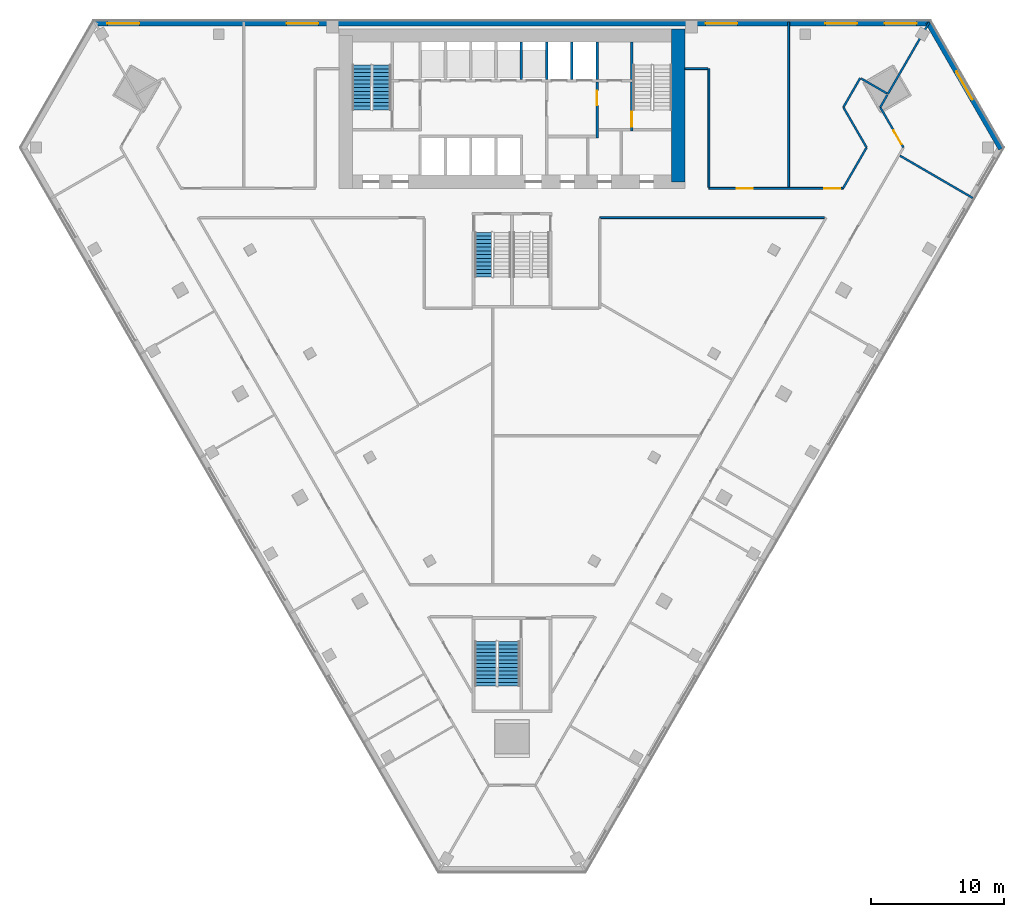
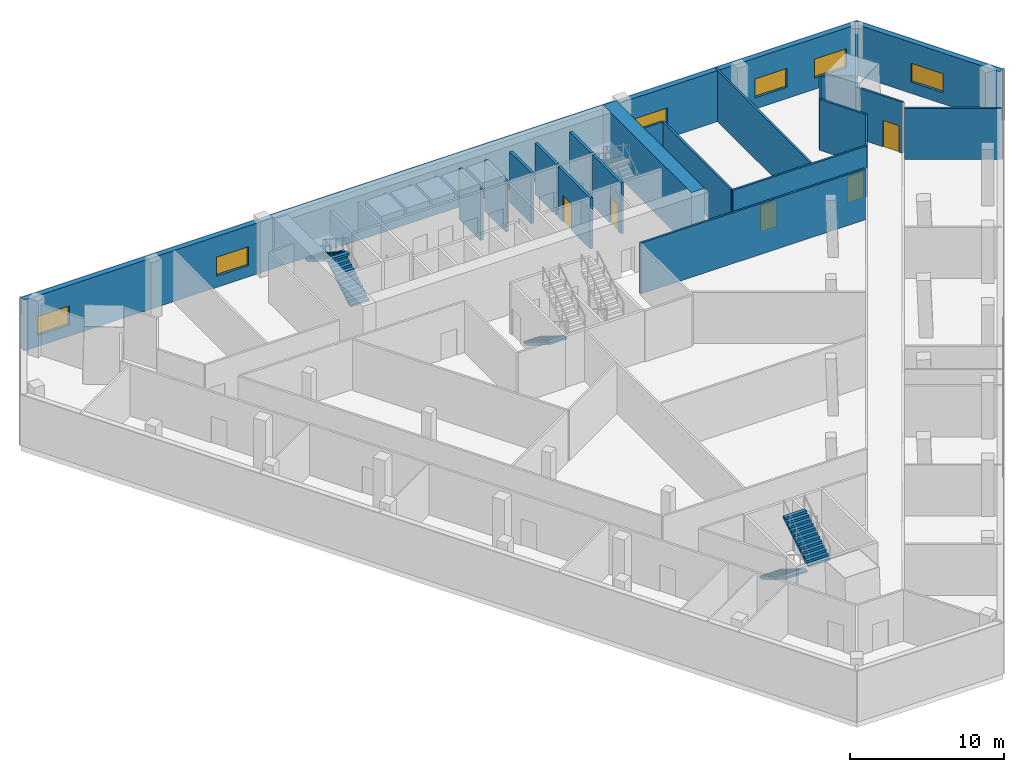
# One storey, part 6 of 9: 23 walls, 6 windows, 5 doors, 5 stair flights, 11 openings, 3 elements without a shape of their own.
"""IFC4 building model written with IfcOpenShell, lengths in metres."""

from ifc_helpers import new_model, si_unit, direction, frame, frame_2d, origin, place, context, subcontext, project, spatial, polyline, rectangle, outline, extrude, material, layer, layer_set, type_object, element, fill, aggregate, save


model = new_model("IFC4")

# Units and contexts
model_context = context("Model", 3, precision=1e-05, world=origin(), true_north=direction((0.0, 1.0)))
body_context = subcontext(model_context, "Body", "Model", "MODEL_VIEW")
ifc_project = project(units=[si_unit("LENGTHUNIT", "METRE"), si_unit("AREAUNIT", "SQUARE_METRE"), si_unit("VOLUMEUNIT", "CUBIC_METRE"), si_unit("PLANEANGLEUNIT", "RADIAN"), si_unit("MASSUNIT", "GRAM", prefix="KILO")], contexts=[model_context])

# Site, building, storey
site_placement = place(None, origin())
site = spatial("IfcSite", under=ifc_project, at=site_placement, CompositionType="ELEMENT")
building_placement = place(site_placement, origin())
building = spatial("IfcBuilding", under=site, at=building_placement, Name="Altiplano Prism Tower", CompositionType="ELEMENT")
storey_placement = place(building_placement, frame((0.0, 0.0, 9.0)))
storey = spatial("IfcBuildingStorey", under=building, at=storey_placement, Name="L01", CompositionType="ELEMENT", Elevation=9.0)

# Wall
ifc_material_1 = material(Name="Concrete C70/85", Category="concrete")
ifc_layer_1 = layer(ifc_material_1, 1.0)
ifc_layer_set_1 = layer_set([ifc_layer_1], Name="Concrete C70/85")
wall_type_1 = type_object("IfcWallType", Name="Core wall 1000", PredefinedType="SHEAR", material=ifc_layer_set_1)
wall_1_placement = place(storey_placement, frame((97.5, 92.89990234375, 0.0), z_axis=(0.0, 0.0, 1.0), x_axis=(0.0, 1.0, 0.0)))
element("IfcWall", 1, at=wall_1_placement, inside=storey, type_object=wall_type_1, Name="Core wall E L01", PredefinedType="SHEAR", context=body_context, shape_type="SweptSolid", body=[
    extrude(rectangle(XDim=11.5, YDim=1.0, at=frame_2d((5.75, 0.0))), origin(), (0.0, 0.0, 1.0), 4.5),
])

# Wall, opening, door
ifc_material_2 = material(Name="Plasterboard on steel stud", Category="steel")
ifc_layer_2 = layer(ifc_material_2, 0.14990234375)
ifc_layer_set_2 = layer_set([ifc_layer_2], Name="Plasterboard on steel stud")
wall_type_2 = type_object("IfcWallType", Name="Partition 150 corridor", PredefinedType="PARTITIONING", material=ifc_layer_set_2)
wall_2_placement = place(storey_placement, frame((114.4296875, 95.4736328125, 0.0), z_axis=(0.0, 0.0, 1.0), x_axis=(-0.500008701212, 0.866020380079, 0.0)))
wall_2 = element("IfcWall", 2, at=wall_2_placement, inside=storey, type_object=wall_type_2, Name="Partition P06 L01 006", PredefinedType="PARTITIONING", context=body_context, shape_type="SweptSolid", body=[
    extrude(rectangle(XDim=3.49462890625, YDim=0.14990234375, at=frame_2d((1.747314453125, 0.0))), origin(), (0.0, 0.0, 1.0), 4.050048828125),
])
opening_1_placement = place(wall_2_placement, frame((0.2880859375, 0.0, 0.0)))
opening_1 = element("IfcOpeningElement", 3, at=opening_1_placement, cuts=wall_2, Name="Opening D0038", PredefinedType="OPENING", context=body_context, shape_type="SweptSolid", body=[
    extrude(rectangle(XDim=1.199951171875, YDim=2.10009765625, at=frame_2d((0.60009765625, 1.050048828125))), frame((0.0, 0.08544921875, 0.0), z_axis=(0.0, -1.0, 0.0), x_axis=(1.0, 0.0, 0.0)), (0.0, 0.0, 1.0), 0.1708984375),
])
ifc_material_3 = material(Name="Timber", Category="wood")
door_type_1 = type_object("IfcDoorType", Name="Shared room door 1200 x 2100", OperationType="NOTDEFINED", PredefinedType="NOTDEFINED", material=ifc_material_3)
door_1_placement = place(opening_1_placement, origin())
door_1 = element("IfcDoor", 4, at=door_1_placement, inside=storey, type_object=door_type_1, Name="Door D0038", OperationType="SINGLE_SWING_RIGHT", OverallHeight=2.10009765625, OverallWidth=1.199951171875, PredefinedType="NOTDEFINED", context=body_context, shape_type="SweptSolid", body=[
    extrude(rectangle(XDim=1.199951171875, YDim=2.10009765625, at=frame_2d((0.60009765625, 1.050048828125))), frame((0.0, 0.02490234375, 0.0), z_axis=(0.0, -1.0, 0.0), x_axis=(1.0, 0.0, 0.0)), (0.0, 0.0, 1.0), 0.050048828125),
])
fill(opening_1, door_1)

# Walls
wall_3_placement = place(storey_placement, frame((112.682373046875, 98.5, 0.0), z_axis=(0.0, 0.0, 1.0), x_axis=(0.500126914667, 0.865952117167, 0.0)))
element("IfcWall", 5, at=wall_3_placement, inside=storey, type_object=wall_type_2, Name="Partition P06 L01 007", PredefinedType="PARTITIONING", context=body_context, shape_type="SweptSolid", body=[
    extrude(rectangle(XDim=1.079833984375, YDim=0.14990234375, at=frame_2d((0.5400390625, 0.0))), origin(), (0.0, 0.0, 1.0), 4.050048828125),
])
wall_4_placement = place(storey_placement, frame((91.60009765625, 90.199951171875, 0.0), z_axis=(0.0, 0.0, 1.0), x_axis=(1.0, 0.0, 0.0)))
element("IfcWall", 6, at=wall_4_placement, inside=storey, type_object=wall_type_2, Name="Partition P06 L01 012", PredefinedType="PARTITIONING", context=body_context, shape_type="SweptSolid", body=[
    extrude(rectangle(XDim=16.883544921875, YDim=0.14990234375, at=frame_2d((8.44189453125, 0.0))), origin(), (0.0, 0.0, 1.0), 4.050048828125),
])
wall_5_placement = place(storey_placement, frame((113.19482421875, 99.53759765625, 0.0), z_axis=(0.0, 0.0, 1.0), x_axis=(-0.866017533419, 0.500013631625, 0.0)))
element("IfcWall", 7, at=wall_5_placement, inside=storey, type_object=wall_type_2, Name="Partition P06 L01 021", PredefinedType="PARTITIONING", context=body_context, shape_type="SweptSolid", body=[
    extrude(rectangle(XDim=2.25, YDim=0.14990234375, at=frame_2d((1.125, 0.0))), origin(), (0.0, 0.0, 1.0), 4.050048828125),
])
wall_6_placement = place(storey_placement, frame((111.181396484375, 100.699951171875, 0.0), z_axis=(0.0, 0.0, 1.0), x_axis=(-0.500035802948, -0.866004731956, 0.0)))
element("IfcWall", 8, at=wall_6_placement, inside=storey, type_object=wall_type_2, Name="Partition P06 L01 022", PredefinedType="PARTITIONING", context=body_context, shape_type="SweptSolid", body=[
    extrude(rectangle(XDim=2.540283203125, YDim=0.14990234375, at=frame_2d((1.27001953125, 0.0))), origin(), (0.0, 0.0, 1.0), 4.050048828125),
])
wall_7_placement = place(storey_placement, frame((109.9111328125, 98.5, 0.0), z_axis=(0.0, 0.0, 1.0), x_axis=(0.500008701212, -0.866020380079, 0.0)))
element("IfcWall", 9, at=wall_7_placement, inside=storey, type_object=wall_type_2, Name="Partition P06 L01 023", PredefinedType="PARTITIONING", context=body_context, shape_type="SweptSolid", body=[
    extrude(rectangle(XDim=3.49462890625, YDim=0.14990234375, at=frame_2d((1.747314453125, 0.0))), origin(), (0.0, 0.0, 1.0), 4.050048828125),
])
wall_8_placement = place(storey_placement, frame((111.658447265625, 95.4736328125, 0.0), z_axis=(0.0, 0.0, 1.0), x_axis=(-0.500008260065, -0.866020634781, 0.0)))
element("IfcWall", 10, at=wall_8_placement, inside=storey, type_object=wall_type_2, Name="Partition P06 L01 024", PredefinedType="PARTITIONING", context=body_context, shape_type="SweptSolid", body=[
    extrude(rectangle(XDim=3.54931640625, YDim=0.14990234375, at=frame_2d((1.774658203125, 0.0))), origin(), (0.0, 0.0, 1.0), 4.050048828125),
])

# Wall, openings, doors
wall_9_placement = place(storey_placement, frame((109.8837890625, 92.39990234375, 0.0), z_axis=(0.0, 0.0, 1.0), x_axis=(-1.0, 0.0, 0.0)))
wall_9 = element("IfcWall", 11, at=wall_9_placement, inside=storey, type_object=wall_type_2, Name="Partition P06 L01 025", PredefinedType="PARTITIONING", context=body_context, shape_type="SweptSolid", body=[
    extrude(rectangle(XDim=10.083740234375, YDim=0.14990234375, at=frame_2d((5.0419921875, 0.0))), origin(), (0.0, 0.0, 1.0), 4.050048828125),
])
opening_2_placement = place(wall_9_placement, frame((0.222900390625, 0.0, 0.0)))
opening_2 = element("IfcOpeningElement", 12, at=opening_2_placement, cuts=wall_9, Name="Opening D0046", PredefinedType="OPENING", context=body_context, shape_type="SweptSolid", body=[
    extrude(rectangle(XDim=1.199951171875, YDim=2.10009765625, at=frame_2d((0.60009765625, 1.050048828125))), frame((0.0, 0.08544921875, 0.0), z_axis=(0.0, -1.0, 0.0), x_axis=(1.0, 0.0, 0.0)), (0.0, 0.0, 1.0), 0.1708984375),
])
opening_3_placement = place(wall_9_placement, frame((6.7958984375, 0.0, 0.0)))
opening_3 = element("IfcOpeningElement", 13, at=opening_3_placement, cuts=wall_9, Name="Opening D0047", PredefinedType="OPENING", context=body_context, shape_type="SweptSolid", body=[
    extrude(rectangle(XDim=1.199951171875, YDim=2.10009765625, at=frame_2d((0.60009765625, 1.050048828125))), frame((0.0, 0.08544921875, 0.0), z_axis=(0.0, -1.0, 0.0), x_axis=(1.0, 0.0, 0.0)), (0.0, 0.0, 1.0), 0.1708984375),
])
door_2_placement = place(opening_2_placement, origin())
door_2 = element("IfcDoor", 14, at=door_2_placement, inside=storey, type_object=door_type_1, Name="Door D0046", OperationType="SINGLE_SWING_LEFT", OverallHeight=2.10009765625, OverallWidth=1.199951171875, PredefinedType="NOTDEFINED", context=body_context, shape_type="SweptSolid", body=[
    extrude(rectangle(XDim=1.199951171875, YDim=2.10009765625, at=frame_2d((0.60009765625, 1.050048828125))), frame((0.0, 0.02490234375, 0.0), z_axis=(0.0, -1.0, 0.0), x_axis=(1.0, 0.0, 0.0)), (0.0, 0.0, 1.0), 0.050048828125),
])
fill(opening_2, door_2)
door_3_placement = place(opening_3_placement, origin())
door_3 = element("IfcDoor", 15, at=door_3_placement, inside=storey, type_object=door_type_1, Name="Door D0047", OperationType="SINGLE_SWING_LEFT", OverallHeight=2.10009765625, OverallWidth=1.199951171875, PredefinedType="NOTDEFINED", context=body_context, shape_type="SweptSolid", body=[
    extrude(rectangle(XDim=1.199951171875, YDim=2.10009765625, at=frame_2d((0.60009765625, 1.050048828125))), frame((0.0, 0.02490234375, 0.0), z_axis=(0.0, -1.0, 0.0), x_axis=(1.0, 0.0, 0.0)), (0.0, 0.0, 1.0), 0.050048828125),
])
fill(opening_3, door_3)

# Walls
wall_10_placement = place(storey_placement, frame((99.800048828125, 92.47509765625, 0.0), z_axis=(0.0, 0.0, 1.0), x_axis=(0.0, 1.0, 0.0)))
element("IfcWall", 16, at=wall_10_placement, inside=storey, type_object=wall_type_2, Name="Partition P06 L01 026", PredefinedType="PARTITIONING", context=body_context, shape_type="SweptSolid", body=[
    extrude(rectangle(XDim=8.9248046875, YDim=0.14990234375, at=frame_2d((4.46240234375, 0.0))), origin(), (0.0, 0.0, 1.0), 4.050048828125),
])
wall_11_placement = place(storey_placement, frame((99.72509765625, 101.39990234375, 0.0), z_axis=(0.0, 0.0, 1.0), x_axis=(-1.0, 0.0, 0.0)))
element("IfcWall", 17, at=wall_11_placement, inside=storey, type_object=wall_type_2, Name="Partition P06 L01 027", PredefinedType="PARTITIONING", context=body_context, shape_type="SweptSolid", body=[
    extrude(rectangle(XDim=1.72509765625, YDim=0.14990234375, at=frame_2d((0.862548828125, 0.0))), origin(), (0.0, 0.0, 1.0), 4.050048828125),
])
ifc_layer_3 = layer(ifc_material_2, 0.14990234375)
ifc_layer_set_3 = layer_set([ifc_layer_3], Name="Plasterboard on steel stud")
wall_type_3 = type_object("IfcWallType", Name="Partition 150 party", PredefinedType="PARTITIONING", material=ifc_layer_set_3)
wall_12_placement = place(storey_placement, frame((119.631103515625, 91.682861328125, 0.0), z_axis=(0.0, 0.0, 1.0), x_axis=(-0.864489243455, 0.502651318462, 0.0)))
element("IfcWall", 18, at=wall_12_placement, inside=storey, type_object=wall_type_3, Name="Partition P01 L01 051", PredefinedType="PARTITIONING", context=body_context, shape_type="SweptSolid", body=[
    extrude(rectangle(XDim=6.324951171875, YDim=0.14990234375, at=frame_2d((3.16259765625, 0.0))), origin(), (0.0, 0.0, 1.0), 4.050048828125),
])
wall_13_placement = place(storey_placement, frame((116.37744140625, 104.89990234375, 0.0), z_axis=(0.0, 0.0, 1.0), x_axis=(-0.500004896655, -0.866022576681, 0.0)))
element("IfcWall", 19, at=wall_13_placement, inside=storey, type_object=wall_type_3, Name="Partition P01 L01 052", PredefinedType="PARTITIONING", context=body_context, shape_type="SweptSolid", body=[
    extrude(rectangle(XDim=6.2353515625, YDim=0.14990234375, at=frame_2d((3.11767578125, 0.0))), origin(), (0.0, 0.0, 1.0), 4.050048828125),
])
wall_14_placement = place(storey_placement, frame((105.790771484375, 104.89990234375, 0.0), z_axis=(0.0, 0.0, 1.0), x_axis=(0.0, -1.0, 0.0)))
element("IfcWall", 20, at=wall_14_placement, inside=storey, type_object=wall_type_3, Name="Partition P01 L01 060", PredefinedType="PARTITIONING", context=body_context, shape_type="SweptSolid", body=[
    extrude(rectangle(XDim=12.4248046875, YDim=0.14990234375, at=frame_2d((6.21240234375, 0.0))), origin(), (0.0, 0.0, 1.0), 4.050048828125),
])
ifc_material_4 = material(Name="Concrete C60/75", Category="concrete")
ifc_layer_4 = layer(ifc_material_4, 0.199951171875)
ifc_layer_set_4 = layer_set([ifc_layer_4], Name="Concrete C60/75")
wall_type_4 = type_object("IfcWallType", Name="Shaft wall 200", PredefinedType="SOLIDWALL", material=ifc_layer_set_4)
for number, where, z_axis, x_axis, name in (
    (21, (85.699951171875, 100.60009765625, 0.0), (0.0, 0.0, 1.0), (0.0, 1.0, 0.0), "Shaft wall L01"),
    (22, (87.60009765625, 100.60009765625, 0.0), (0.0, 0.0, 1.0), (0.0, 1.0, 0.0), "Shaft wall L01"),
    (23, (89.5, 100.60009765625, 0.0), (0.0, 0.0, 1.0), (0.0, 1.0, 0.0), "Shaft wall L01"),
    (24, (91.39990234375, 100.60009765625, 0.0), (0.0, 0.0, 1.0), (0.0, 1.0, 0.0), "Shaft wall L01"),
):
    element("IfcWall", number, at=place(storey_placement, frame(where, z_axis=z_axis, x_axis=x_axis)), inside=storey, type_object=wall_type_4, Name=name, PredefinedType="SOLIDWALL", context=body_context, shape_type="SweptSolid", body=[
        extrude(rectangle(XDim=2.7998046875, YDim=0.199951171875, at=frame_2d((1.39990234375, 0.0))), origin(), (0.0, 0.0, 1.0), 4.050048828125),
    ])

# Wall, opening, door
ifc_layer_5 = layer(ifc_material_4, 0.199951171875)
ifc_layer_set_5 = layer_set([ifc_layer_5], Name="Concrete C60/75")
wall_type_5 = type_object("IfcWallType", Name="Stair wall 200", PredefinedType="SOLIDWALL", material=ifc_layer_set_5)
wall_15_placement = place(storey_placement, frame((94.0, 96.699951171875, 0.0), z_axis=(0.0, 0.0, 1.0), x_axis=(0.0, 1.0, 0.0)))
wall_15 = element("IfcWall", 25, at=wall_15_placement, inside=storey, type_object=wall_type_5, Name="Stair wall L01", PredefinedType="SOLIDWALL", context=body_context, shape_type="SweptSolid", body=[
    extrude(rectangle(XDim=3.699951171875, YDim=0.199951171875, at=frame_2d((1.85009765625, 0.0))), origin(), (0.0, 0.0, 1.0), 4.050048828125),
])
opening_4_placement = place(wall_15_placement, frame((0.35009765625, 0.0, 0.0)))
opening_4 = element("IfcOpeningElement", 26, at=opening_4_placement, cuts=wall_15, Name="Opening D2601", PredefinedType="OPENING", context=body_context, shape_type="SweptSolid", body=[
    extrude(rectangle(XDim=1.10009765625, YDim=2.10009765625, at=frame_2d((0.550048828125, 1.050048828125))), frame((0.0, 0.1103515625, 0.0), z_axis=(0.0, -1.0, 0.0), x_axis=(1.0, 0.0, 0.0)), (0.0, 0.0, 1.0), 0.220947265625),
])
ifc_material_5 = material(Name="Fire-rated steel door", Category="steel")
door_type_2 = type_object("IfcDoorType", Name="Stair fire door 1100 x 2100", OperationType="NOTDEFINED", PredefinedType="NOTDEFINED", material=ifc_material_5)
door_4_placement = place(opening_4_placement, origin())
door_4 = element("IfcDoor", 27, at=door_4_placement, inside=storey, type_object=door_type_2, Name="Stair fire door D2601", OperationType="SINGLE_SWING_LEFT", OverallHeight=2.10009765625, OverallWidth=1.10009765625, PredefinedType="NOTDEFINED", context=body_context, shape_type="SweptSolid", body=[
    extrude(rectangle(XDim=1.10009765625, YDim=2.10009765625, at=frame_2d((0.550048828125, 1.050048828125))), frame((0.0, 0.02490234375, 0.0), z_axis=(0.0, -1.0, 0.0), x_axis=(1.0, 0.0, 0.0)), (0.0, 0.0, 1.0), 0.050048828125),
])
fill(opening_4, door_4)

# Wall
wall_16_placement = place(storey_placement, frame((94.0, 100.60009765625, 0.0), z_axis=(0.0, 0.0, 1.0), x_axis=(0.0, 1.0, 0.0)))
element("IfcWall", 28, at=wall_16_placement, inside=storey, type_object=wall_type_5, Name="Stair wall L01", PredefinedType="SOLIDWALL", context=body_context, shape_type="SweptSolid", body=[
    extrude(rectangle(XDim=2.7998046875, YDim=0.199951171875, at=frame_2d((1.39990234375, 0.0))), origin(), (0.0, 0.0, 1.0), 4.050048828125),
])

# Wall, openings, windows
ifc_material_6 = material(Name="Concrete C40", Category="concrete")
ifc_layer_6 = layer(ifc_material_6, 0.39990234375)
ifc_layer_set_6 = layer_set([ifc_layer_6], Name="Concrete C40")
wall_type_6 = type_object("IfcWallType", Name="Stone-clad podium wall 400", PredefinedType="SOLIDWALL", material=ifc_layer_set_6)
wall_17_placement = place(storey_placement, frame((53.564697265625, 104.800048828125, 0.0), z_axis=(0.0, 0.0, 1.0), x_axis=(1.0, 0.0, 0.0)))
wall_17 = element("IfcWall", 29, at=wall_17_placement, inside=storey, type_object=wall_type_6, Name="External wall north face L01", PredefinedType="SOLIDWALL", context=body_context, shape_type="SweptSolid", body=[
    extrude(rectangle(XDim=62.87060546875, YDim=0.39990234375, at=frame_2d((31.435302734375, 0.0))), origin(), (0.0, 0.0, 1.0), 4.050048828125),
])
opening_5_placement = place(wall_17_placement, frame((59.452392578125, 0.0, 0.89990234375)))
opening_5 = element("IfcOpeningElement", 30, at=opening_5_placement, cuts=wall_17, Name="Opening W1", PredefinedType="OPENING", context=body_context, shape_type="SweptSolid", body=[
    extrude(rectangle(XDim=2.39990234375, YDim=1.5, at=frame_2d((1.199951171875, 0.75))), frame((0.0, 0.21044921875, 0.0), z_axis=(0.0, -1.0, 0.0), x_axis=(1.0, 0.0, 0.0)), (0.0, 0.0, 1.0), 0.4208984375),
])
opening_6_placement = place(wall_17_placement, frame((54.985595703125, 0.0, 0.89990234375)))
opening_6 = element("IfcOpeningElement", 31, at=opening_6_placement, cuts=wall_17, Name="Opening W1", PredefinedType="OPENING", context=body_context, shape_type="SweptSolid", body=[
    extrude(rectangle(XDim=2.39990234375, YDim=1.5, at=frame_2d((1.199951171875, 0.75))), frame((0.0, 0.21044921875, 0.0), z_axis=(0.0, -1.0, 0.0), x_axis=(1.0, 0.0, 0.0)), (0.0, 0.0, 1.0), 0.4208984375),
])
opening_7_placement = place(wall_17_placement, frame((45.985595703125, 0.0, 0.89990234375)))
opening_7 = element("IfcOpeningElement", 32, at=opening_7_placement, cuts=wall_17, Name="Opening W1", PredefinedType="OPENING", context=body_context, shape_type="SweptSolid", body=[
    extrude(rectangle(XDim=2.39990234375, YDim=1.5, at=frame_2d((1.199951171875, 0.75))), frame((0.0, 0.21044921875, 0.0), z_axis=(0.0, -1.0, 0.0), x_axis=(1.0, 0.0, 0.0)), (0.0, 0.0, 1.0), 0.4208984375),
])
opening_8_placement = place(wall_17_placement, frame((14.485595703125, 0.0, 0.89990234375)))
opening_8 = element("IfcOpeningElement", 33, at=opening_8_placement, cuts=wall_17, Name="Opening W1", PredefinedType="OPENING", context=body_context, shape_type="SweptSolid", body=[
    extrude(rectangle(XDim=2.39990234375, YDim=1.5, at=frame_2d((1.199951171875, 0.75))), frame((0.0, 0.21044921875, 0.0), z_axis=(0.0, -1.0, 0.0), x_axis=(1.0, 0.0, 0.0)), (0.0, 0.0, 1.0), 0.4208984375),
])
opening_9_placement = place(wall_17_placement, frame((1.017578125, 0.0, 0.89990234375)))
opening_9 = element("IfcOpeningElement", 34, at=opening_9_placement, cuts=wall_17, Name="Opening W1", PredefinedType="OPENING", context=body_context, shape_type="SweptSolid", body=[
    extrude(rectangle(XDim=2.39990234375, YDim=1.5, at=frame_2d((1.199951171875, 0.75))), frame((0.0, 0.21044921875, 0.0), z_axis=(0.0, -1.0, 0.0), x_axis=(1.0, 0.0, 0.0)), (0.0, 0.0, 1.0), 0.4208984375),
])
ifc_material_7 = material(Name="Glass", Category="glass")
window_type = type_object("IfcWindowType", Name="Window 2400 x 1500", PartitioningType="SINGLE_PANEL", PredefinedType="WINDOW", material=ifc_material_7)
window_1_placement = place(opening_5_placement, origin())
window_1 = element("IfcWindow", 35, at=window_1_placement, inside=storey, type_object=window_type, Name="Podium window L01", OverallHeight=1.5, OverallWidth=2.39990234375, PartitioningType="SINGLE_PANEL", PredefinedType="WINDOW", context=body_context, shape_type="SweptSolid", body=[
    extrude(rectangle(XDim=2.39990234375, YDim=1.5, at=frame_2d((1.199951171875, 0.75))), frame((0.0, 0.030029296875, 0.0), z_axis=(0.0, -1.0, 0.0), x_axis=(1.0, 0.0, 0.0)), (0.0, 0.0, 1.0), 0.06005859375),
])
fill(opening_5, window_1)
window_2_placement = place(opening_6_placement, origin())
window_2 = element("IfcWindow", 36, at=window_2_placement, inside=storey, type_object=window_type, Name="Podium window L01", OverallHeight=1.5, OverallWidth=2.39990234375, PartitioningType="SINGLE_PANEL", PredefinedType="WINDOW", context=body_context, shape_type="SweptSolid", body=[
    extrude(rectangle(XDim=2.39990234375, YDim=1.5, at=frame_2d((1.199951171875, 0.75))), frame((0.0, 0.030029296875, 0.0), z_axis=(0.0, -1.0, 0.0), x_axis=(1.0, 0.0, 0.0)), (0.0, 0.0, 1.0), 0.06005859375),
])
fill(opening_6, window_2)
window_3_placement = place(opening_7_placement, origin())
window_3 = element("IfcWindow", 37, at=window_3_placement, inside=storey, type_object=window_type, Name="Podium window L01", OverallHeight=1.5, OverallWidth=2.39990234375, PartitioningType="SINGLE_PANEL", PredefinedType="WINDOW", context=body_context, shape_type="SweptSolid", body=[
    extrude(rectangle(XDim=2.39990234375, YDim=1.5, at=frame_2d((1.199951171875, 0.75))), frame((0.0, 0.030029296875, 0.0), z_axis=(0.0, -1.0, 0.0), x_axis=(1.0, 0.0, 0.0)), (0.0, 0.0, 1.0), 0.06005859375),
])
fill(opening_7, window_3)
window_4_placement = place(opening_8_placement, origin())
window_4 = element("IfcWindow", 38, at=window_4_placement, inside=storey, type_object=window_type, Name="Podium window L01", OverallHeight=1.5, OverallWidth=2.39990234375, PartitioningType="SINGLE_PANEL", PredefinedType="WINDOW", context=body_context, shape_type="SweptSolid", body=[
    extrude(rectangle(XDim=2.39990234375, YDim=1.5, at=frame_2d((1.199951171875, 0.75))), frame((0.0, 0.030029296875, 0.0), z_axis=(0.0, -1.0, 0.0), x_axis=(1.0, 0.0, 0.0)), (0.0, 0.0, 1.0), 0.06005859375),
])
fill(opening_8, window_4)
window_5_placement = place(opening_9_placement, origin())
window_5 = element("IfcWindow", 39, at=window_5_placement, inside=storey, type_object=window_type, Name="Podium window L01", OverallHeight=1.5, OverallWidth=2.39990234375, PartitioningType="SINGLE_PANEL", PredefinedType="WINDOW", context=body_context, shape_type="SweptSolid", body=[
    extrude(rectangle(XDim=2.39990234375, YDim=1.5, at=frame_2d((1.199951171875, 0.75))), frame((0.0, 0.030029296875, 0.0), z_axis=(0.0, -1.0, 0.0), x_axis=(1.0, 0.0, 0.0)), (0.0, 0.0, 1.0), 0.06005859375),
])
fill(opening_9, window_5)

# Wall, opening, window
wall_18_placement = place(storey_placement, frame((116.261962890625, 104.89990234375, 0.0), z_axis=(0.0, 0.0, 1.0), x_axis=(0.50000615651, -0.866021849293, 0.0)))
wall_18 = element("IfcWall", 40, at=wall_18_placement, inside=storey, type_object=wall_type_6, Name="External wall north-east chamfer L01", PredefinedType="SOLIDWALL", context=body_context, shape_type="SweptSolid", body=[
    extrude(rectangle(XDim=10.999755859375, YDim=0.39990234375, at=frame_2d((5.5, 0.0))), origin(), (0.0, 0.0, 1.0), 4.050048828125),
])
opening_10_placement = place(wall_18_placement, frame((4.300048828125, 0.0, 0.89990234375)))
opening_10 = element("IfcOpeningElement", 41, at=opening_10_placement, cuts=wall_18, Name="Opening W1", PredefinedType="OPENING", context=body_context, shape_type="SweptSolid", body=[
    extrude(rectangle(XDim=2.39990234375, YDim=1.5, at=frame_2d((1.199951171875, 0.75))), frame((0.0, 0.21044921875, 0.0), z_axis=(0.0, -1.0, 0.0), x_axis=(1.0, 0.0, 0.0)), (0.0, 0.0, 1.0), 0.4208984375),
])
window_6_placement = place(opening_10_placement, origin())
window_6 = element("IfcWindow", 42, at=window_6_placement, inside=storey, type_object=window_type, Name="Podium window L01", OverallHeight=1.5, OverallWidth=2.39990234375, PartitioningType="SINGLE_PANEL", PredefinedType="WINDOW", context=body_context, shape_type="SweptSolid", body=[
    extrude(rectangle(XDim=2.39990234375, YDim=1.5, at=frame_2d((1.199951171875, 0.75))), frame((0.0, 0.030029296875, 0.0), z_axis=(0.0, -1.0, 0.0), x_axis=(1.0, 0.0, 0.0)), (0.0, 0.0, 1.0), 0.06005859375),
])
fill(opening_10, window_6)

# Wall, opening, door
ifc_layer_7 = layer(ifc_material_4, 0.199951171875)
ifc_layer_set_7 = layer_set([ifc_layer_7], Name="Concrete C60/75")
wall_type_7 = type_object("IfcWallType", Name="Vestibule wall 200", PredefinedType="PARTITIONING", material=ifc_layer_set_7)
wall_19_placement = place(storey_placement, frame((91.39990234375, 96.199951171875, 0.0), z_axis=(0.0, 0.0, 1.0), x_axis=(0.0, 1.0, 0.0)))
wall_19 = element("IfcWall", 43, at=wall_19_placement, inside=storey, type_object=wall_type_7, Name="Vestibule wall L01", PredefinedType="PARTITIONING", context=body_context, shape_type="SweptSolid", body=[
    extrude(rectangle(XDim=4.199951171875, YDim=0.199951171875, at=frame_2d((2.10009765625, 0.0))), origin(), (0.0, 0.0, 1.0), 4.050048828125),
])
opening_11_placement = place(wall_19_placement, frame((2.449951171875, 0.0, 0.0)))
opening_11 = element("IfcOpeningElement", 44, at=opening_11_placement, cuts=wall_19, Name="Opening D2604", PredefinedType="OPENING", context=body_context, shape_type="SweptSolid", body=[
    extrude(rectangle(XDim=1.10009765625, YDim=2.10009765625, at=frame_2d((0.550048828125, 1.050048828125))), frame((0.0, 0.1103515625, 0.0), z_axis=(0.0, -1.0, 0.0), x_axis=(1.0, 0.0, 0.0)), (0.0, 0.0, 1.0), 0.220947265625),
])
door_type_3 = type_object("IfcDoorType", Name="Vestibule fire door 1100 x 2100", OperationType="NOTDEFINED", PredefinedType="NOTDEFINED", material=ifc_material_5)
door_5_placement = place(opening_11_placement, origin())
door_5 = element("IfcDoor", 45, at=door_5_placement, inside=storey, type_object=door_type_3, Name="Vestibule fire door D2604", OperationType="SINGLE_SWING_LEFT", OverallHeight=2.10009765625, OverallWidth=1.10009765625, PredefinedType="NOTDEFINED", context=body_context, shape_type="SweptSolid", body=[
    extrude(rectangle(XDim=1.10009765625, YDim=2.10009765625, at=frame_2d((0.550048828125, 1.050048828125))), frame((0.0, 0.02490234375, 0.0), z_axis=(0.0, -1.0, 0.0), x_axis=(1.0, 0.0, 0.0)), (0.0, 0.0, 1.0), 0.050048828125),
])
fill(opening_11, door_5)

# Stair, stair flights
ifc_material_8 = material(Name="Concrete C40/50", Category="concrete")
stair_type_1 = type_object("IfcStairType", Name="Exit stair 1400", PredefinedType="HALF_TURN_STAIR", material=ifc_material_8)
stair_1_placement = place(storey_placement, origin())
stair_1 = element("IfcStair", 46, at=stair_1_placement, inside=storey, type_object=stair_type_1, Name="L01 Exit Stair 1", PredefinedType="HALF_TURN_STAIR")
stair_flight_type = type_object("IfcStairFlightType", Name="Stair flight concrete 150", PredefinedType="STRAIGHT", material=ifc_material_8)
stair_flight_1_placement = place(storey_placement, frame((75.199951171875, 98.300048828125, 0.0), z_axis=(0.0, 0.0, 1.0), x_axis=(0.0, 1.0, 0.0)))
stair_flight_1 = element("IfcStairFlight", 47, at=stair_flight_1_placement, type_object=stair_flight_type, Name="ST1 flight 1", NumberOfRisers=13, NumberOfTreads=12, PredefinedType="STRAIGHT", RiserHeight=0.173076923, TreadLength=0.28, context=body_context, shape_type="SweptSolid", body=[
    extrude(outline(polyline([(0.0, 0.0), (0.0, 0.173095703125), (0.280029296875, 0.173095703125), (0.280029296875, 0.34619140625), (0.56005859375, 0.34619140625), (0.56005859375, 0.519287109375), (0.840087890625, 0.519287109375), (0.840087890625, 0.6923828125), (1.1201171875, 0.6923828125), (1.1201171875, 0.865478515625), (1.39990234375, 0.865478515625), (1.39990234375, 1.03857421875), (1.679931640625, 1.03857421875), (1.679931640625, 1.21142578125), (1.9599609375, 1.21142578125), (1.9599609375, 1.384521484375), (2.239990234375, 1.384521484375), (2.239990234375, 1.5576171875), (2.52001953125, 1.5576171875), (2.52001953125, 1.730712890625), (2.800048828125, 1.730712890625), (2.800048828125, 1.90380859375), (3.080078125, 1.90380859375), (3.080078125, 2.076904296875), (3.360107421875, 2.076904296875), (3.360107421875, 2.25), (3.360107421875, 1.900634765625), (0.28515625, 0.0), (0.0, 0.0)])), frame((0.0, 0.699951171875, 0.0), z_axis=(0.0, -1.0, 0.0), x_axis=(1.0, 0.0, 0.0)), (0.0, 0.0, 1.0), 1.39990234375),
])
stair_flight_2_placement = place(storey_placement, frame((73.699951171875, 101.659912109375, 2.25), z_axis=(0.0, 0.0, 1.0), x_axis=(0.0, -1.0, 0.0)))
stair_flight_2 = element("IfcStairFlight", 48, at=stair_flight_2_placement, type_object=stair_flight_type, Name="ST1 flight 2", NumberOfRisers=13, NumberOfTreads=12, PredefinedType="STRAIGHT", RiserHeight=0.173076923, TreadLength=0.28, context=body_context, shape_type="SweptSolid", body=[
    extrude(outline(polyline([(0.0, 0.0), (0.0, 0.173095703125), (0.280029296875, 0.173095703125), (0.280029296875, 0.34619140625), (0.56005859375, 0.34619140625), (0.56005859375, 0.519287109375), (0.840087890625, 0.519287109375), (0.840087890625, 0.6923828125), (1.1201171875, 0.6923828125), (1.1201171875, 0.865478515625), (1.39990234375, 0.865478515625), (1.39990234375, 1.03857421875), (1.679931640625, 1.03857421875), (1.679931640625, 1.21142578125), (1.9599609375, 1.21142578125), (1.9599609375, 1.384521484375), (2.239990234375, 1.384521484375), (2.239990234375, 1.5576171875), (2.52001953125, 1.5576171875), (2.52001953125, 1.730712890625), (2.800048828125, 1.730712890625), (2.800048828125, 1.90380859375), (3.080078125, 1.90380859375), (3.080078125, 2.076904296875), (3.360107421875, 2.076904296875), (3.360107421875, 2.25), (3.360107421875, 1.900634765625), (0.28515625, 0.0), (0.0, 0.0)])), frame((0.0, 0.699951171875, 0.0), z_axis=(0.0, -1.0, 0.0), x_axis=(1.0, 0.0, 0.0)), (0.0, 0.0, 1.0), 1.39990234375),
])
aggregate(stair_1, [stair_flight_1, stair_flight_2])

# Stair, stair flight
stair_type_2 = type_object("IfcStairType", Name="Exit stair 1300", PredefinedType="HALF_TURN_STAIR", material=ifc_material_8)
stair_2_placement = place(storey_placement, origin())
stair_2 = element("IfcStair", 49, at=stair_2_placement, inside=storey, type_object=stair_type_2, Name="L01 Exit Stair 3A", PredefinedType="HALF_TURN_STAIR")
stair_flight_3_placement = place(storey_placement, frame((82.85009765625, 89.10009765625, 0.0), z_axis=(0.0, 0.0, 1.0), x_axis=(0.0, -1.0, 0.0)))
stair_flight_3 = element("IfcStairFlight", 50, at=stair_flight_3_placement, type_object=stair_flight_type, Name="ST3A flight 1", NumberOfRisers=13, NumberOfTreads=12, PredefinedType="STRAIGHT", RiserHeight=0.173076923, TreadLength=0.28, context=body_context, shape_type="SweptSolid", body=[
    extrude(outline(polyline([(0.0, 0.0), (0.0, 0.173095703125), (0.280029296875, 0.173095703125), (0.280029296875, 0.34619140625), (0.56005859375, 0.34619140625), (0.56005859375, 0.519287109375), (0.840087890625, 0.519287109375), (0.840087890625, 0.6923828125), (1.1201171875, 0.6923828125), (1.1201171875, 0.865478515625), (1.39990234375, 0.865478515625), (1.39990234375, 1.03857421875), (1.679931640625, 1.03857421875), (1.679931640625, 1.21142578125), (1.9599609375, 1.21142578125), (1.9599609375, 1.384521484375), (2.239990234375, 1.384521484375), (2.239990234375, 1.5576171875), (2.52001953125, 1.5576171875), (2.52001953125, 1.730712890625), (2.800048828125, 1.730712890625), (2.800048828125, 1.90380859375), (3.080078125, 1.90380859375), (3.080078125, 2.076904296875), (3.360107421875, 2.076904296875), (3.360107421875, 2.25), (3.360107421875, 1.900634765625), (0.28515625, 0.0), (0.0, 0.0)])), frame((0.0, 0.64990234375, 0.0), z_axis=(0.0, -1.0, 0.0), x_axis=(1.0, 0.0, 0.0)), (0.0, 0.0, 1.0), 1.300048828125),
])
aggregate(stair_2, [stair_flight_3])

# Stair, stair flights
stair_type_3 = type_object("IfcStairType", Name="Exit stair 1650", PredefinedType="HALF_TURN_STAIR", material=ifc_material_8)
stair_3_placement = place(storey_placement, origin())
stair_3 = element("IfcStair", 51, at=stair_3_placement, inside=storey, type_object=stair_type_3, Name="L01 Exit Stair 4", PredefinedType="HALF_TURN_STAIR")
stair_flight_4_placement = place(storey_placement, frame((83.02490234375, 58.35009765625, 0.0), z_axis=(0.0, 0.0, 1.0), x_axis=(0.0, -1.0, 0.0)))
stair_flight_4 = element("IfcStairFlight", 52, at=stair_flight_4_placement, type_object=stair_flight_type, Name="ST4 flight 1", NumberOfRisers=13, NumberOfTreads=12, PredefinedType="STRAIGHT", RiserHeight=0.173076923, TreadLength=0.28, context=body_context, shape_type="SweptSolid", body=[
    extrude(outline(polyline([(0.0, 0.0), (0.0, 0.173095703125), (0.280029296875, 0.173095703125), (0.280029296875, 0.34619140625), (0.56005859375, 0.34619140625), (0.56005859375, 0.519287109375), (0.840087890625, 0.519287109375), (0.840087890625, 0.6923828125), (1.1201171875, 0.6923828125), (1.1201171875, 0.865478515625), (1.39990234375, 0.865478515625), (1.39990234375, 1.03857421875), (1.679931640625, 1.03857421875), (1.679931640625, 1.21142578125), (1.9599609375, 1.21142578125), (1.9599609375, 1.384521484375), (2.239990234375, 1.384521484375), (2.239990234375, 1.5576171875), (2.52001953125, 1.5576171875), (2.52001953125, 1.730712890625), (2.800048828125, 1.730712890625), (2.800048828125, 1.90380859375), (3.080078125, 1.90380859375), (3.080078125, 2.076904296875), (3.360107421875, 2.076904296875), (3.360107421875, 2.25), (3.360107421875, 1.900634765625), (0.28515625, 0.0), (0.0, 0.0)])), frame((0.0, 0.824951171875, 0.0), z_axis=(0.0, -1.0, 0.0), x_axis=(1.0, 0.0, 0.0)), (0.0, 0.0, 1.0), 1.64990234375),
])
stair_flight_5_placement = place(storey_placement, frame((84.77490234375, 54.989990234375, 2.25), z_axis=(0.0, 0.0, 1.0), x_axis=(0.0, 1.0, 0.0)))
stair_flight_5 = element("IfcStairFlight", 53, at=stair_flight_5_placement, type_object=stair_flight_type, Name="ST4 flight 2", NumberOfRisers=13, NumberOfTreads=12, PredefinedType="STRAIGHT", RiserHeight=0.173076923, TreadLength=0.28, context=body_context, shape_type="SweptSolid", body=[
    extrude(outline(polyline([(0.0, 0.0), (0.0, 0.173095703125), (0.280029296875, 0.173095703125), (0.280029296875, 0.34619140625), (0.56005859375, 0.34619140625), (0.56005859375, 0.519287109375), (0.840087890625, 0.519287109375), (0.840087890625, 0.6923828125), (1.1201171875, 0.6923828125), (1.1201171875, 0.865478515625), (1.39990234375, 0.865478515625), (1.39990234375, 1.03857421875), (1.679931640625, 1.03857421875), (1.679931640625, 1.21142578125), (1.9599609375, 1.21142578125), (1.9599609375, 1.384521484375), (2.239990234375, 1.384521484375), (2.239990234375, 1.5576171875), (2.52001953125, 1.5576171875), (2.52001953125, 1.730712890625), (2.800048828125, 1.730712890625), (2.800048828125, 1.90380859375), (3.080078125, 1.90380859375), (3.080078125, 2.076904296875), (3.360107421875, 2.076904296875), (3.360107421875, 2.25), (3.360107421875, 1.900634765625), (0.28515625, 0.0), (0.0, 0.0)])), frame((0.0, 0.824951171875, 0.0), z_axis=(0.0, -1.0, 0.0), x_axis=(1.0, 0.0, 0.0)), (0.0, 0.0, 1.0), 1.64990234375),
])
aggregate(stair_3, [stair_flight_4, stair_flight_5])

save(model, "model.ifc")
